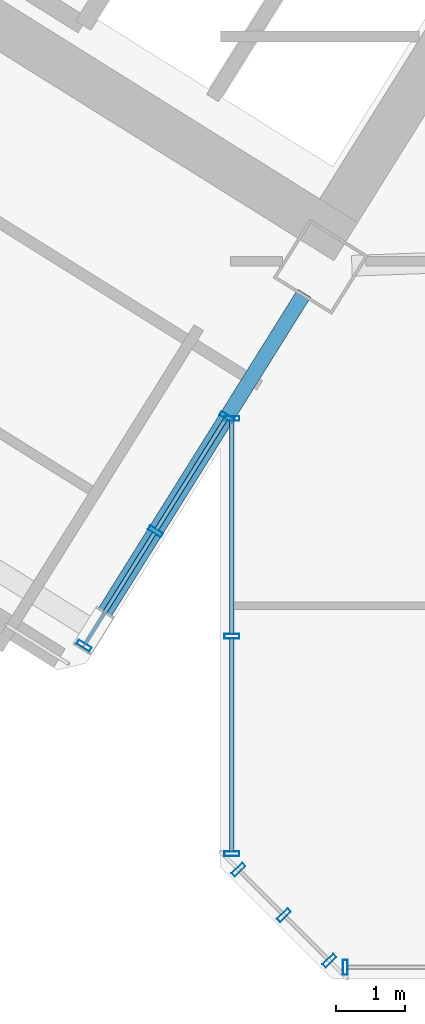
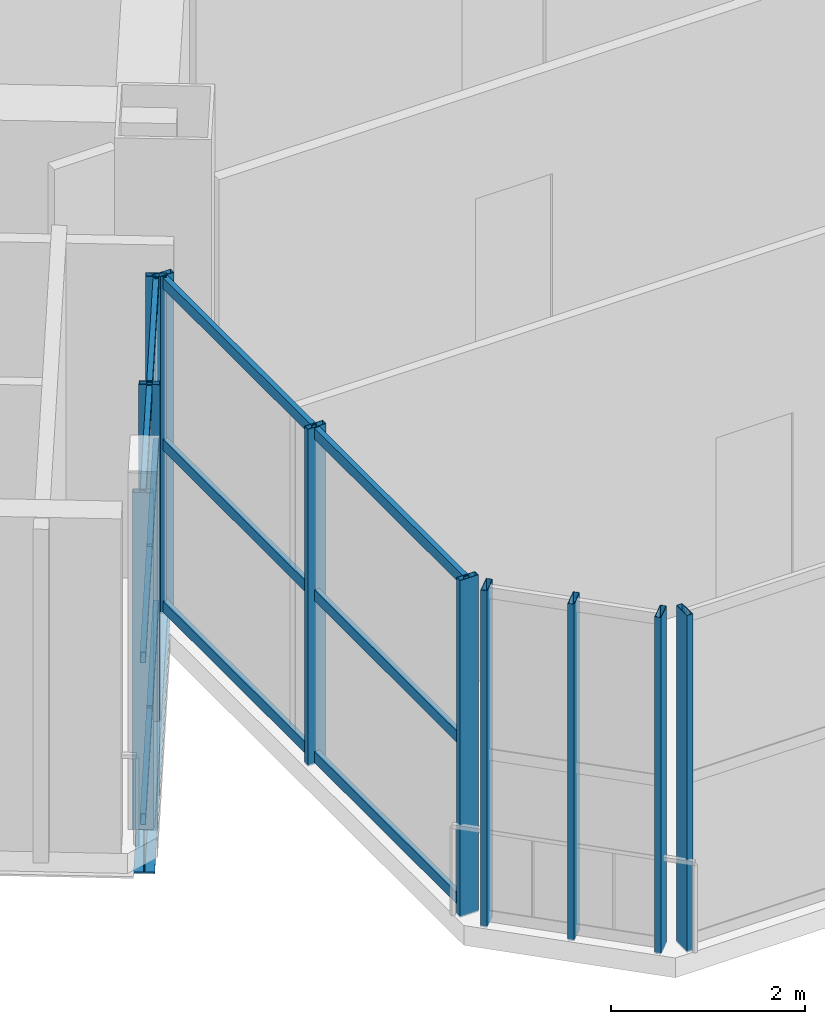
# One storey, part 5 of 30: 22 members, 1 beam, 4 elements without a shape of their own.
"""IFC4 building model written with IfcOpenShell, lengths in metres."""

from ifc_helpers import new_model, si_unit, direction, frame, origin, origin_2d, place, context, subcontext, project, spatial, hollow_rectangle, i_section, extrude, source, transform, mapped, material, material_profile, profile_set, type_object, element, aggregate, save


model = new_model("IFC4")

# Units and contexts
model_context = context("Model", 3, precision=1e-05, world=origin(), true_north=direction((0.0, 1.0)))
body_context = subcontext(model_context, "Body", "Model", "MODEL_VIEW")
ifc_project = project(units=[si_unit("LENGTHUNIT", "METRE"), si_unit("AREAUNIT", "SQUARE_METRE"), si_unit("VOLUMEUNIT", "CUBIC_METRE"), si_unit("PLANEANGLEUNIT", "RADIAN"), si_unit("MASSUNIT", "GRAM", prefix="KILO")], contexts=[model_context])

# Site, building, storey
site_placement = place(None, origin())
site = spatial("IfcSite", under=ifc_project, at=site_placement, CompositionType="ELEMENT")
building_placement = place(site_placement, origin())
building = spatial("IfcBuilding", under=site, at=building_placement, Name="Tlacorven Tower", CompositionType="ELEMENT")
storey_placement = place(building_placement, frame((0.0, 0.0, 67.199951171875)))
storey = spatial("IfcBuildingStorey", under=building, at=storey_placement, Name="L17", CompositionType="ELEMENT", Elevation=67.199951171875)

# Beam
ifc_material_1 = material(Name="Steel S355J2", Category="steel")
ifc_material_profile_1 = material_profile(ifc_material_1, i_section(OverallWidth=0.219970703125, OverallDepth=0.60009765625, WebThickness=0.011962890625, FlangeThickness=0.01904296875, at=origin_2d()), Name="IPE 600")
ifc_profile_set_1 = profile_set([ifc_material_profile_1], Name="Steel S355J2")
beam_type = type_object("IfcBeamType", Name="BM-TWR-600", PredefinedType="BEAM", material=ifc_profile_set_1)
shared_shape_1 = source(origin(), body_context, "Body", "SweptSolid", [
    extrude(i_section(OverallWidth=0.219970703125, OverallDepth=0.60009765625, WebThickness=0.011962890625, FlangeThickness=0.01904296875, at=origin_2d()), origin(), (0.0, 0.0, 1.0), 5.64990234375),
])
beam_placement = place(storey_placement, frame((32.8076171875, 11.705322265625, -0.550048828125), z_axis=(-0.529897948462, -0.848061415356, 0.0), x_axis=(0.848061415356, -0.529897948462, 0.0)))
element("IfcBeam", 1, at=beam_placement, inside=storey, type_object=beam_type, Name="L17 beam BM-L17-WT1-2", PredefinedType="BEAM", context=body_context, shape_type="MappedRepresentation", body=[
    mapped(shared_shape_1, transform((0.0, 0.0, 0.0), scale=1.0)),
])

# Curtain wall, members
ifc_material_2 = material(Name="Dark solar low-E double glazing in aluminium frame", Category="aluminium")
curtain_wall_type = type_object("IfcCurtainWallType", Name="CW-TWR-LOW", PredefinedType="USERDEFINED", material=ifc_material_2)
curtain_wall_1_placement = place(storey_placement, origin())
curtain_wall_1 = element("IfcCurtainWall", 2, at=curtain_wall_1_placement, inside=storey, type_object=curtain_wall_type, Name="L17 CW-TWR-LOW Curtain Wall 96", ObjectType="UNITISED CURTAIN WALL", PredefinedType="USERDEFINED")
ifc_material_3 = material(Name="Aluminium 6063-T6 anodised", Category="aluminium")
ifc_material_profile_2 = material_profile(ifc_material_3, hollow_rectangle(XDim=0.06005859375, YDim=0.139892578125, WallThickness=0.00390625, at=origin_2d()), Name="ALU TRANSOM 60X140")
ifc_profile_set_2 = profile_set([ifc_material_profile_2], Name="Aluminium 6063-T6 anodised")
member_type_1 = type_object("IfcMemberType", Name="CWT-02", PredefinedType="USERDEFINED", material=ifc_profile_set_2)
shared_shape_2 = source(origin(), body_context, "Body", "SweptSolid", [
    extrude(hollow_rectangle(XDim=0.06005859375, YDim=0.139892578125, WallThickness=0.00390625, at=origin_2d()), origin(), (0.0, 0.0, 1.0), 3.10009765625),
])
member_1_placement = place(storey_placement, frame((31.760009765625, 3.624267578125, 0.070068359375), z_axis=(0.0, 1.0, 0.0), x_axis=(-1.0, 0.0, 0.0)))
member_1 = element("IfcMember", 3, at=member_1_placement, type_object=member_type_1, Name="CW-L17-096 Transom 1", ObjectType="TRANSOM", PredefinedType="USERDEFINED", context=body_context, shape_type="MappedRepresentation", body=[
    mapped(shared_shape_2, transform((0.0, 0.0, 0.0), scale=1.0)),
])
member_2_placement = place(storey_placement, frame((31.760009765625, 3.624267578125, 2.110107421875), z_axis=(0.0, 1.0, 0.0), x_axis=(-1.0, 0.0, 0.0)))
member_2 = element("IfcMember", 4, at=member_2_placement, type_object=member_type_1, Name="CW-L17-096 Transom 2", ObjectType="TRANSOM", PredefinedType="USERDEFINED", context=body_context, shape_type="MappedRepresentation", body=[
    mapped(shared_shape_2, transform((0.0, 0.0, 0.0), scale=1.0)),
])
member_3_placement = place(storey_placement, frame((31.760009765625, 3.624267578125, 4.150146484375), z_axis=(0.0, 1.0, 0.0), x_axis=(-1.0, 0.0, 0.0)))
member_3 = element("IfcMember", 5, at=member_3_placement, type_object=member_type_1, Name="CW-L17-096 Transom 3", ObjectType="TRANSOM", PredefinedType="USERDEFINED", context=body_context, shape_type="MappedRepresentation", body=[
    mapped(shared_shape_2, transform((0.0, 0.0, 0.0), scale=1.0)),
])
member_4_placement = place(storey_placement, frame((31.760009765625, 6.7705078125, 0.070068359375), z_axis=(0.0, 1.0, 0.0), x_axis=(-1.0, 0.0, 0.0)))
member_4 = element("IfcMember", 6, at=member_4_placement, type_object=member_type_1, Name="CW-L17-096 Transom 4", ObjectType="TRANSOM", PredefinedType="USERDEFINED", context=body_context, shape_type="MappedRepresentation", body=[
    mapped(shared_shape_2, transform((0.0, 0.0, 0.0), scale=1.0)),
])
member_5_placement = place(storey_placement, frame((31.760009765625, 6.7705078125, 2.110107421875), z_axis=(0.0, 1.0, 0.0), x_axis=(-1.0, 0.0, 0.0)))
member_5 = element("IfcMember", 7, at=member_5_placement, type_object=member_type_1, Name="CW-L17-096 Transom 5", ObjectType="TRANSOM", PredefinedType="USERDEFINED", context=body_context, shape_type="MappedRepresentation", body=[
    mapped(shared_shape_2, transform((0.0, 0.0, 0.0), scale=1.0)),
])
member_6_placement = place(storey_placement, frame((31.760009765625, 6.7705078125, 4.150146484375), z_axis=(0.0, 1.0, 0.0), x_axis=(-1.0, 0.0, 0.0)))
member_6 = element("IfcMember", 8, at=member_6_placement, type_object=member_type_1, Name="CW-L17-096 Transom 6", ObjectType="TRANSOM", PredefinedType="USERDEFINED", context=body_context, shape_type="MappedRepresentation", body=[
    mapped(shared_shape_2, transform((0.0, 0.0, 0.0), scale=1.0)),
])

curtain_wall_2_placement = place(storey_placement, origin())
curtain_wall_2 = element("IfcCurtainWall", 9, at=curtain_wall_2_placement, inside=storey, type_object=curtain_wall_type, Name="L17 CW-TWR-LOW Curtain Wall 97", ObjectType="UNITISED CURTAIN WALL", PredefinedType="USERDEFINED")
shared_shape_3 = source(origin(), body_context, "Body", "SweptSolid", [
    extrude(hollow_rectangle(XDim=0.06005859375, YDim=0.139892578125, WallThickness=0.00390625, at=origin_2d()), origin(), (0.0, 0.0, 1.0), 1.902587890625),
])
member_7_placement = place(storey_placement, frame((31.67626953125, 9.894775390625, 0.070068359375), z_axis=(-0.529848980307, -0.848092010378, 0.0), x_axis=(0.848092010378, -0.529848980307, 0.0)))
member_7 = element("IfcMember", 10, at=member_7_placement, type_object=member_type_1, Name="CW-L17-097 Transom 1", ObjectType="TRANSOM", PredefinedType="USERDEFINED", context=body_context, shape_type="MappedRepresentation", body=[
    mapped(shared_shape_3, transform((0.0, 0.0, 0.0), scale=1.0)),
])
member_8_placement = place(storey_placement, frame((31.67626953125, 9.894775390625, 2.110107421875), z_axis=(-0.529848980307, -0.848092010378, 0.0), x_axis=(0.848092010378, -0.529848980307, 0.0)))
member_8 = element("IfcMember", 11, at=member_8_placement, type_object=member_type_1, Name="CW-L17-097 Transom 2", ObjectType="TRANSOM", PredefinedType="USERDEFINED", context=body_context, shape_type="MappedRepresentation", body=[
    mapped(shared_shape_3, transform((0.0, 0.0, 0.0), scale=1.0)),
])
member_9_placement = place(storey_placement, frame((31.67626953125, 9.894775390625, 4.150146484375), z_axis=(-0.529848980307, -0.848092010378, 0.0), x_axis=(0.848092010378, -0.529848980307, 0.0)))
member_9 = element("IfcMember", 12, at=member_9_placement, type_object=member_type_1, Name="CW-L17-097 Transom 3", ObjectType="TRANSOM", PredefinedType="USERDEFINED", context=body_context, shape_type="MappedRepresentation", body=[
    mapped(shared_shape_3, transform((0.0, 0.0, 0.0), scale=1.0)),
])
shared_shape_4 = source(origin(), body_context, "Body", "SweptSolid", [
    extrude(hollow_rectangle(XDim=0.06005859375, YDim=0.139892578125, WallThickness=0.00390625, at=origin_2d()), origin(), (0.0, 0.0, 1.0), 1.90234375),
])
member_10_placement = place(storey_placement, frame((30.643798828125, 8.242431640625, 0.070068359375), z_axis=(-0.52990664903, -0.84805597888, 0.0), x_axis=(0.84805597888, -0.52990664903, 0.0)))
member_10 = element("IfcMember", 13, at=member_10_placement, type_object=member_type_1, Name="CW-L17-097 Transom 4", ObjectType="TRANSOM", PredefinedType="USERDEFINED", context=body_context, shape_type="MappedRepresentation", body=[
    mapped(shared_shape_4, transform((0.0, 0.0, 0.0), scale=1.0)),
])
member_11_placement = place(storey_placement, frame((30.643798828125, 8.242431640625, 2.110107421875), z_axis=(-0.52990664903, -0.84805597888, 0.0), x_axis=(0.84805597888, -0.52990664903, 0.0)))
member_11 = element("IfcMember", 14, at=member_11_placement, type_object=member_type_1, Name="CW-L17-097 Transom 5", ObjectType="TRANSOM", PredefinedType="USERDEFINED", context=body_context, shape_type="MappedRepresentation", body=[
    mapped(shared_shape_4, transform((0.0, 0.0, 0.0), scale=1.0)),
])
member_12_placement = place(storey_placement, frame((30.643798828125, 8.242431640625, 4.150146484375), z_axis=(-0.52990664903, -0.84805597888, 0.0), x_axis=(0.84805597888, -0.52990664903, 0.0)))
member_12 = element("IfcMember", 15, at=member_12_placement, type_object=member_type_1, Name="CW-L17-097 Transom 6", ObjectType="TRANSOM", PredefinedType="USERDEFINED", context=body_context, shape_type="MappedRepresentation", body=[
    mapped(shared_shape_4, transform((0.0, 0.0, 0.0), scale=1.0)),
])

# Curtain wall, member
curtain_wall_3_placement = place(storey_placement, origin())
curtain_wall_3 = element("IfcCurtainWall", 16, at=curtain_wall_3_placement, inside=storey, type_object=curtain_wall_type, Name="L17 CW-TWR-LOW Curtain Wall 94", ObjectType="UNITISED CURTAIN WALL", PredefinedType="USERDEFINED")
ifc_material_profile_3 = material_profile(ifc_material_3, hollow_rectangle(XDim=0.070068359375, YDim=0.219970703125, WallThickness=0.0048828125, at=origin_2d()), Name="ALU MULLION 70X220")
ifc_profile_set_3 = profile_set([ifc_material_profile_3], Name="Aluminium 6063-T6 anodised")
member_type_2 = type_object("IfcMemberType", Name="CWM-01", PredefinedType="MULLION", material=ifc_profile_set_3)
shared_shape_5 = source(origin(), body_context, "Body", "SweptSolid", [
    extrude(hollow_rectangle(XDim=0.070068359375, YDim=0.219970703125, WallThickness=0.0048828125, at=origin_2d()), origin(), (0.0, 0.0, 1.0), 4.25),
])
member_13_placement = place(storey_placement, frame((33.4013671875, 1.9599609375, -0.02001953125), z_axis=(0.0, 0.0, 1.0), x_axis=(-1.0, 0.0, 0.0)))
member_13 = element("IfcMember", 17, at=member_13_placement, type_object=member_type_2, Name="CW-L17-094 Mullion 4", PredefinedType="MULLION", context=body_context, shape_type="MappedRepresentation", body=[
    mapped(shared_shape_5, transform((0.0, 0.0, 0.0), scale=1.0)),
])
aggregate(curtain_wall_3, [member_13])

# Curtain wall, members
curtain_wall_4_placement = place(storey_placement, origin())
curtain_wall_4 = element("IfcCurtainWall", 18, at=curtain_wall_4_placement, inside=storey, type_object=curtain_wall_type, Name="L17 CW-TWR-LOW Curtain Wall 95", ObjectType="UNITISED CURTAIN WALL", PredefinedType="USERDEFINED")
member_14_placement = place(storey_placement, frame((33.1708984375, 2.055419921875, -0.02001953125), z_axis=(0.0, 0.0, 1.0), x_axis=(-0.707106781187, 0.707106781187, 0.0)))
member_14 = element("IfcMember", 19, at=member_14_placement, type_object=member_type_2, Name="CW-L17-095 Mullion 1", PredefinedType="MULLION", context=body_context, shape_type="MappedRepresentation", body=[
    mapped(shared_shape_5, transform((0.0, 0.0, 0.0), scale=1.0)),
])
member_15_placement = place(storey_placement, frame((32.51318359375, 2.713134765625, -0.02001953125), z_axis=(0.0, 0.0, 1.0), x_axis=(-0.707106781187, 0.707106781187, 0.0)))
member_15 = element("IfcMember", 20, at=member_15_placement, type_object=member_type_2, Name="CW-L17-095 Mullion 2", PredefinedType="MULLION", context=body_context, shape_type="MappedRepresentation", body=[
    mapped(shared_shape_5, transform((0.0, 0.0, 0.0), scale=1.0)),
])
member_16_placement = place(storey_placement, frame((31.85546875, 3.370849609375, -0.02001953125), z_axis=(0.0, 0.0, 1.0), x_axis=(-0.707106781187, 0.707106781187, 0.0)))
member_16 = element("IfcMember", 21, at=member_16_placement, type_object=member_type_2, Name="CW-L17-095 Mullion 3", PredefinedType="MULLION", context=body_context, shape_type="MappedRepresentation", body=[
    mapped(shared_shape_5, transform((0.0, 0.0, 0.0), scale=1.0)),
])
aggregate(curtain_wall_4, [member_14, member_15, member_16])

# Member
member_17_placement = place(storey_placement, frame((31.760009765625, 3.601318359375, -0.02001953125), z_axis=(0.0, 0.0, 1.0), x_axis=(0.0, 1.0, 0.0)))
member_17 = element("IfcMember", 22, at=member_17_placement, type_object=member_type_2, Name="CW-L17-096 Mullion 1", PredefinedType="MULLION", context=body_context, shape_type="MappedRepresentation", body=[
    mapped(shared_shape_5, transform((0.0, 0.0, 0.0), scale=1.0)),
])

member_18_placement = place(storey_placement, frame((31.760009765625, 6.74755859375, -0.02001953125), z_axis=(0.0, 0.0, 1.0), x_axis=(0.0, 1.0, 0.0)))
member_18 = element("IfcMember", 23, at=member_18_placement, type_object=member_type_2, Name="CW-L17-096 Mullion 2", PredefinedType="MULLION", context=body_context, shape_type="MappedRepresentation", body=[
    mapped(shared_shape_5, transform((0.0, 0.0, 0.0), scale=1.0)),
])

member_19_placement = place(storey_placement, frame((31.760009765625, 9.8935546875, -0.02001953125), z_axis=(0.0, 0.0, 1.0), x_axis=(0.0, 1.0, 0.0)))
member_19 = element("IfcMember", 24, at=member_19_placement, type_object=member_type_2, Name="CW-L17-096 Mullion 3", PredefinedType="MULLION", context=body_context, shape_type="MappedRepresentation", body=[
    mapped(shared_shape_5, transform((0.0, 0.0, 0.0), scale=1.0)),
])

aggregate(curtain_wall_1, [member_17, member_18, member_19, member_1, member_2, member_3, member_4, member_5, member_6])

member_20_placement = place(storey_placement, frame((31.6884765625, 9.9140625, -0.02001953125), z_axis=(0.0, 0.0, 1.0), x_axis=(-0.529918710919, -0.848048441905, 0.0)))
member_20 = element("IfcMember", 25, at=member_20_placement, type_object=member_type_2, Name="CW-L17-097 Mullion 1", PredefinedType="MULLION", context=body_context, shape_type="MappedRepresentation", body=[
    mapped(shared_shape_5, transform((0.0, 0.0, 0.0), scale=1.0)),
])

member_21_placement = place(storey_placement, frame((30.656005859375, 8.261962890625, -0.02001953125), z_axis=(0.0, 0.0, 1.0), x_axis=(-0.529918710919, -0.848048441905, 0.0)))
member_21 = element("IfcMember", 26, at=member_21_placement, type_object=member_type_2, Name="CW-L17-097 Mullion 2", PredefinedType="MULLION", context=body_context, shape_type="MappedRepresentation", body=[
    mapped(shared_shape_5, transform((0.0, 0.0, 0.0), scale=1.0)),
])

member_22_placement = place(storey_placement, frame((29.62353515625, 6.609619140625, -0.02001953125), z_axis=(0.0, 0.0, 1.0), x_axis=(-0.529918710919, -0.848048441905, 0.0)))
member_22 = element("IfcMember", 27, at=member_22_placement, type_object=member_type_2, Name="CW-L17-097 Mullion 3", PredefinedType="MULLION", context=body_context, shape_type="MappedRepresentation", body=[
    mapped(shared_shape_5, transform((0.0, 0.0, 0.0), scale=1.0)),
])

aggregate(curtain_wall_2, [member_20, member_21, member_22, member_7, member_8, member_9, member_10, member_11, member_12])

save(model, "model.ifc")
